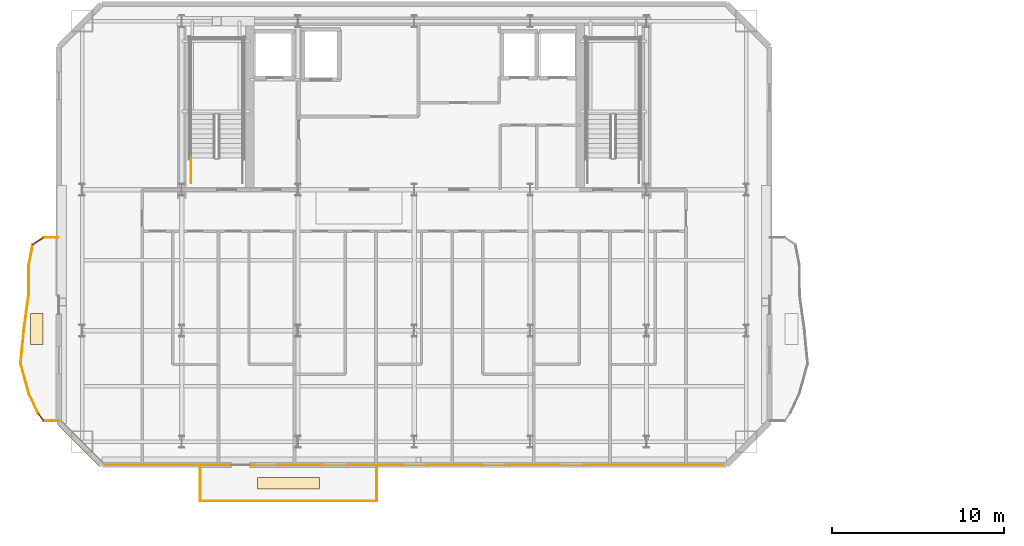
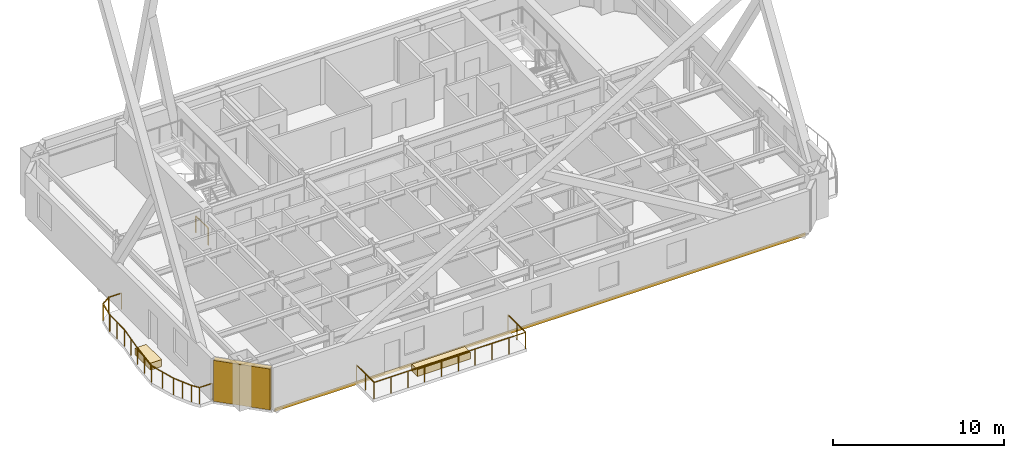
# One storey, part 16 of 20: 14 railings, 3 coverings, 1 shading device.
"""IFC4 building model written with IfcOpenShell, lengths in metres."""

from ifc_helpers import new_model, si_unit, direction, frame, origin, origin_2d, place, context, subcontext, project, spatial, rectangle, extrude, material, layer, layer_set, type_object, element, save


model = new_model("IFC4")

# Units and contexts
model_context = context("Model", 3, precision=1e-05, world=origin(), true_north=direction((0.0, 1.0)))
body_context = subcontext(model_context, "Body", "Model", "MODEL_VIEW")
ifc_project = project(units=[si_unit("LENGTHUNIT", "METRE"), si_unit("AREAUNIT", "SQUARE_METRE"), si_unit("VOLUMEUNIT", "CUBIC_METRE"), si_unit("PLANEANGLEUNIT", "RADIAN"), si_unit("MASSUNIT", "GRAM", prefix="KILO")], contexts=[model_context])

# Site, building, storey
site_placement = place(None, origin())
site = spatial("IfcSite", under=ifc_project, at=site_placement, CompositionType="ELEMENT")
building_placement = place(site_placement, origin())
building = spatial("IfcBuilding", under=site, at=building_placement, Name="Haevon Station Towers", CompositionType="ELEMENT")
storey_placement = place(building_placement, frame((0.0, 0.0, 175.800048828125)))
storey = spatial("IfcBuildingStorey", under=building, at=storey_placement, Name="L48", CompositionType="ELEMENT", Elevation=175.800048828125)

# Covering
ifc_material_1 = material(Name="Anodised aluminium 6063-T6", Category="aluminium")
ifc_layer_1 = layer(ifc_material_1, 0.0400390625)
ifc_layer_set_1 = layer_set([ifc_layer_1], Name="Anodised aluminium 6063-T6")
covering_type_1 = type_object("IfcCoveringType", Name="COV-CLAD40", PredefinedType="CLADDING", material=ifc_layer_set_1)
covering_1_placement = place(storey_placement, frame((37.5, 22.199951171875, -0.240234375), z_axis=(0.0, 0.0, 1.0), x_axis=(1.0, 0.0, 0.0)))
element("IfcCovering", 1, at=covering_1_placement, inside=storey, type_object=covering_type_1, Name="Tower 1 L48 Spandrel Fascia Cladding", PredefinedType="CLADDING", context=body_context, shape_type="SweptSolid", body=[
    extrude(rectangle(XDim=35.89990234375, YDim=0.0400390625, at=origin_2d()), origin(), (0.0, 0.0, 1.0), 0.239990234375),
])

# Railings
ifc_material_2 = material(Name="Steel S355", Category="steel")
railing_type_1 = type_object("IfcRailingType", Name="GRD-EXT1200", PredefinedType="GUARDRAIL", material=ifc_material_2)
railing_1_placement = place(storey_placement, frame((16.82666015625, 35.422119140625, 0.0)))
element("IfcRailing", 2, at=railing_1_placement, inside=storey, type_object=railing_type_1, Name="L48 Perimeter Guardrail 1", PredefinedType="GUARDRAIL", context=body_context, shape_type="SweptSolid", body=[
    extrude(rectangle(XDim=0.048095703125, YDim=0.048095703125, at=origin_2d()), frame((0.0, 0.0, 1.17578125), z_axis=(-0.99999747791, -0.002245923589, 0.0), x_axis=(0.002245923589, -0.99999747791, 0.0)), (0.0, 0.0, 1.0), 0.86962890625),
    extrude(rectangle(XDim=0.0419921875, YDim=0.0419921875, at=origin_2d()), origin(), (0.0, 0.0, 1.0), 1.15185546875),
    extrude(rectangle(XDim=0.0419921875, YDim=0.0419921875, at=origin_2d()), frame((-0.86962890625, -0.001953125, 0.0)), (0.0, 0.0, 1.0), 1.15185546875),
])
railing_2_placement = place(storey_placement, frame((15.95703125, 35.420166015625, 0.0)))
element("IfcRailing", 3, at=railing_2_placement, inside=storey, type_object=railing_type_1, Name="L48 Perimeter Guardrail 2", PredefinedType="GUARDRAIL", context=body_context, shape_type="SweptSolid", body=[
    extrude(rectangle(XDim=0.048095703125, YDim=0.048095703125, at=origin_2d()), frame((0.0, 0.0, 1.17578125), z_axis=(-0.833160144028, -0.553031802343, 0.0), x_axis=(0.553031802343, -0.833160144028, 0.0)), (0.0, 0.0, 1.0), 0.743408203125),
    extrude(rectangle(XDim=0.0419921875, YDim=0.0419921875, at=origin_2d()), origin(), (0.0, 0.0, 1.0), 1.15185546875),
    extrude(rectangle(XDim=0.0419921875, YDim=0.0419921875, at=origin_2d()), frame((-0.619384765625, -0.4111328125, 0.0)), (0.0, 0.0, 1.0), 1.15185546875),
])
railing_3_placement = place(storey_placement, frame((15.337646484375, 35.009033203125, 0.0)))
element("IfcRailing", 4, at=railing_3_placement, inside=storey, type_object=railing_type_1, Name="L48 Perimeter Guardrail 3", PredefinedType="GUARDRAIL", context=body_context, shape_type="SweptSolid", body=[
    extrude(rectangle(XDim=0.048095703125, YDim=0.048095703125, at=origin_2d()), frame((0.0, 0.0, 1.17578125), z_axis=(-0.18988815167, -0.981805729182, 0.0), x_axis=(0.981805729182, -0.18988815167, 0.0)), (0.0, 0.0, 1.0), 1.19189453125),
    extrude(rectangle(XDim=0.0419921875, YDim=0.0419921875, at=origin_2d()), origin(), (0.0, 0.0, 1.0), 1.15185546875),
    extrude(rectangle(XDim=0.0419921875, YDim=0.0419921875, at=origin_2d()), frame((-0.226318359375, -1.170166015625, 0.0)), (0.0, 0.0, 1.0), 1.15185546875),
])
railing_4_placement = place(storey_placement, frame((15.111328125, 33.8388671875, 0.0)))
element("IfcRailing", 5, at=railing_4_placement, inside=storey, type_object=railing_type_1, Name="L48 Perimeter Guardrail 4", PredefinedType="GUARDRAIL", context=body_context, shape_type="SweptSolid", body=[
    extrude(rectangle(XDim=0.048095703125, YDim=0.048095703125, at=origin_2d()), frame((0.0, 0.0, 1.17578125), z_axis=(-0.00725326156, -0.999973694752, 0.0), x_axis=(0.999973694752, -0.00725326156, 0.0)), (0.0, 0.0, 1.0), 1.750244140625),
    extrude(rectangle(XDim=0.0419921875, YDim=0.0419921875, at=origin_2d()), origin(), (0.0, 0.0, 1.0), 1.15185546875),
    extrude(rectangle(XDim=0.0419921875, YDim=0.0419921875, at=origin_2d()), frame((-0.00634765625, -0.875, 0.0)), (0.0, 0.0, 1.0), 1.15185546875),
    extrude(rectangle(XDim=0.0419921875, YDim=0.0419921875, at=origin_2d()), frame((-0.0126953125, -1.750244140625, 0.0)), (0.0, 0.0, 1.0), 1.15185546875),
])
railing_5_placement = place(storey_placement, frame((15.0986328125, 32.088623046875, 0.0)))
element("IfcRailing", 6, at=railing_5_placement, inside=storey, type_object=railing_type_1, Name="L48 Perimeter Guardrail 5", PredefinedType="GUARDRAIL", context=body_context, shape_type="SweptSolid", body=[
    extrude(rectangle(XDim=0.048095703125, YDim=0.048095703125, at=origin_2d()), frame((0.0, 0.0, 1.17578125), z_axis=(-0.136345171369, -0.990661392326, 0.0), x_axis=(0.990661392326, -0.136345171369, 0.0)), (0.0, 0.0, 1.0), 2.00732421875),
    extrude(rectangle(XDim=0.0419921875, YDim=0.0419921875, at=origin_2d()), origin(), (0.0, 0.0, 1.0), 1.15185546875),
    extrude(rectangle(XDim=0.0419921875, YDim=0.0419921875, at=origin_2d()), frame((-0.13671875, -0.994140625, 0.0)), (0.0, 0.0, 1.0), 1.15185546875),
    extrude(rectangle(XDim=0.0419921875, YDim=0.0419921875, at=origin_2d()), frame((-0.273681640625, -1.988525390625, 0.0)), (0.0, 0.0, 1.0), 1.15185546875),
])
railing_6_placement = place(storey_placement, frame((14.824951171875, 30.10009765625, 0.0)))
element("IfcRailing", 7, at=railing_6_placement, inside=storey, type_object=railing_type_1, Name="L48 Perimeter Guardrail 6", PredefinedType="GUARDRAIL", context=body_context, shape_type="SweptSolid", body=[
    extrude(rectangle(XDim=0.048095703125, YDim=0.048095703125, at=origin_2d()), frame((0.0, 0.0, 1.17578125), z_axis=(-0.097718135752, -0.9952141307, 0.0), x_axis=(0.9952141307, -0.097718135752, 0.0)), (0.0, 0.0, 1.0), 2.003662109375),
    extrude(rectangle(XDim=0.0419921875, YDim=0.0419921875, at=origin_2d()), origin(), (0.0, 0.0, 1.0), 1.15185546875),
    extrude(rectangle(XDim=0.0419921875, YDim=0.0419921875, at=origin_2d()), frame((-0.097900390625, -0.9970703125, 0.0)), (0.0, 0.0, 1.0), 1.15185546875),
    extrude(rectangle(XDim=0.0419921875, YDim=0.0419921875, at=origin_2d()), frame((-0.19580078125, -1.994140625, 0.0)), (0.0, 0.0, 1.0), 1.15185546875),
])
railing_7_placement = place(storey_placement, frame((14.629150390625, 28.10595703125, 0.0)))
element("IfcRailing", 8, at=railing_7_placement, inside=storey, type_object=railing_type_1, Name="L48 Perimeter Guardrail 7", PredefinedType="GUARDRAIL", context=body_context, shape_type="SweptSolid", body=[
    extrude(rectangle(XDim=0.048095703125, YDim=0.048095703125, at=origin_2d()), frame((0.0, 0.0, 1.17578125), z_axis=(0.266356811872, -0.963874498454, 0.0), x_axis=(0.963874498454, 0.266356811872, 0.0)), (0.0, 0.0, 1.0), 1.810302734375),
    extrude(rectangle(XDim=0.0419921875, YDim=0.0419921875, at=origin_2d()), origin(), (0.0, 0.0, 1.0), 1.15185546875),
    extrude(rectangle(XDim=0.0419921875, YDim=0.0419921875, at=origin_2d()), frame((0.2412109375, -0.87255859375, 0.0)), (0.0, 0.0, 1.0), 1.15185546875),
    extrude(rectangle(XDim=0.0419921875, YDim=0.0419921875, at=origin_2d()), frame((0.482177734375, -1.744873046875, 0.0)), (0.0, 0.0, 1.0), 1.15185546875),
])
railing_8_placement = place(storey_placement, frame((15.111328125, 26.361083984375, 0.0)))
element("IfcRailing", 9, at=railing_8_placement, inside=storey, type_object=railing_type_1, Name="L48 Perimeter Guardrail 8", PredefinedType="GUARDRAIL", context=body_context, shape_type="SweptSolid", body=[
    extrude(rectangle(XDim=0.048095703125, YDim=0.048095703125, at=origin_2d()), frame((0.0, 0.0, 1.17578125), z_axis=(0.42339242702, -0.905946385137, 0.0), x_axis=(0.905946385137, 0.42339242702, 0.0)), (0.0, 0.0, 1.0), 1.291748046875),
    extrude(rectangle(XDim=0.0419921875, YDim=0.0419921875, at=origin_2d()), origin(), (0.0, 0.0, 1.0), 1.15185546875),
    extrude(rectangle(XDim=0.0419921875, YDim=0.0419921875, at=origin_2d()), frame((0.2734375, -0.5849609375, 0.0)), (0.0, 0.0, 1.0), 1.15185546875),
    extrude(rectangle(XDim=0.0419921875, YDim=0.0419921875, at=origin_2d()), frame((0.546875, -1.170166015625, 0.0)), (0.0, 0.0, 1.0), 1.15185546875),
])
railing_9_placement = place(storey_placement, frame((15.658203125, 25.19091796875, 0.0)))
element("IfcRailing", 10, at=railing_9_placement, inside=storey, type_object=railing_type_1, Name="L48 Perimeter Guardrail 9", PredefinedType="GUARDRAIL", context=body_context, shape_type="SweptSolid", body=[
    extrude(rectangle(XDim=0.048095703125, YDim=0.048095703125, at=origin_2d()), frame((0.0, 0.0, 1.17578125), z_axis=(0.587943185417, -0.808902225688, 0.0), x_axis=(0.808902225688, 0.587943185417, 0.0)), (0.0, 0.0, 1.0), 0.50830078125),
    extrude(rectangle(XDim=0.0419921875, YDim=0.0419921875, at=origin_2d()), origin(), (0.0, 0.0, 1.0), 1.15185546875),
    extrude(rectangle(XDim=0.0419921875, YDim=0.0419921875, at=origin_2d()), frame((0.298828125, -0.4111328125, 0.0)), (0.0, 0.0, 1.0), 1.15185546875),
])
railing_10_placement = place(storey_placement, frame((15.95703125, 24.77978515625, 0.0)))
element("IfcRailing", 11, at=railing_10_placement, inside=storey, type_object=railing_type_1, Name="L48 Perimeter Guardrail 10", PredefinedType="GUARDRAIL", context=body_context, shape_type="SweptSolid", body=[
    extrude(rectangle(XDim=0.048095703125, YDim=0.048095703125, at=origin_2d()), frame((0.0, 0.0, 1.17578125), z_axis=(0.99999747791, -0.002245923589, 0.0), x_axis=(0.002245923589, 0.99999747791, 0.0)), (0.0, 0.0, 1.0), 0.86962890625),
    extrude(rectangle(XDim=0.0419921875, YDim=0.0419921875, at=origin_2d()), origin(), (0.0, 0.0, 1.0), 1.15185546875),
    extrude(rectangle(XDim=0.0419921875, YDim=0.0419921875, at=origin_2d()), frame((0.86962890625, -0.001953125, 0.0)), (0.0, 0.0, 1.0), 1.15185546875),
])
railing_11_placement = place(storey_placement, frame((25.078369140625, 20.11572265625, 0.0)))
element("IfcRailing", 12, at=railing_11_placement, inside=storey, type_object=railing_type_1, Name="L48 Perimeter Guardrail 1", PredefinedType="GUARDRAIL", context=body_context, shape_type="SweptSolid", body=[
    extrude(rectangle(XDim=0.048095703125, YDim=0.048095703125, at=origin_2d()), frame((0.0, 0.0, 1.17578125), z_axis=(1.0, 0.0, 0.0), x_axis=(0.0, 1.0, 0.0)), (0.0, 0.0, 1.0), 10.2431640625),
    extrude(rectangle(XDim=0.0419921875, YDim=0.0419921875, at=origin_2d()), origin(), (0.0, 0.0, 1.0), 1.15185546875),
    extrude(rectangle(XDim=0.0419921875, YDim=0.0419921875, at=origin_2d()), frame((1.13818359375, 0.0, 0.0)), (0.0, 0.0, 1.0), 1.15185546875),
    extrude(rectangle(XDim=0.0419921875, YDim=0.0419921875, at=origin_2d()), frame((2.2763671875, 0.0, 0.0)), (0.0, 0.0, 1.0), 1.15185546875),
    extrude(rectangle(XDim=0.0419921875, YDim=0.0419921875, at=origin_2d()), frame((3.414306640625, 0.0, 0.0)), (0.0, 0.0, 1.0), 1.15185546875),
    extrude(rectangle(XDim=0.0419921875, YDim=0.0419921875, at=origin_2d()), frame((4.552490234375, 0.0, 0.0)), (0.0, 0.0, 1.0), 1.15185546875),
    extrude(rectangle(XDim=0.0419921875, YDim=0.0419921875, at=origin_2d()), frame((5.690673828125, 0.0, 0.0)), (0.0, 0.0, 1.0), 1.15185546875),
    extrude(rectangle(XDim=0.0419921875, YDim=0.0419921875, at=origin_2d()), frame((6.828857421875, 0.0, 0.0)), (0.0, 0.0, 1.0), 1.15185546875),
    extrude(rectangle(XDim=0.0419921875, YDim=0.0419921875, at=origin_2d()), frame((7.966796875, 0.0, 0.0)), (0.0, 0.0, 1.0), 1.15185546875),
    extrude(rectangle(XDim=0.0419921875, YDim=0.0419921875, at=origin_2d()), frame((9.10498046875, 0.0, 0.0)), (0.0, 0.0, 1.0), 1.15185546875),
    extrude(rectangle(XDim=0.0419921875, YDim=0.0419921875, at=origin_2d()), frame((10.2431640625, 0.0, 0.0)), (0.0, 0.0, 1.0), 1.15185546875),
])
railing_12_placement = place(storey_placement, frame((35.321533203125, 20.11572265625, 0.0)))
element("IfcRailing", 13, at=railing_12_placement, inside=storey, type_object=railing_type_1, Name="L48 Perimeter Guardrail 2", PredefinedType="GUARDRAIL", context=body_context, shape_type="SweptSolid", body=[
    extrude(rectangle(XDim=0.048095703125, YDim=0.048095703125, at=origin_2d()), frame((0.0, 0.0, 1.17578125), z_axis=(0.0, 1.0, 0.0), x_axis=(-1.0, 0.0, 0.0)), (0.0, 0.0, 1.0), 2.0634765625),
    extrude(rectangle(XDim=0.0419921875, YDim=0.0419921875, at=origin_2d()), origin(), (0.0, 0.0, 1.0), 1.15185546875),
    extrude(rectangle(XDim=0.0419921875, YDim=0.0419921875, at=origin_2d()), frame((0.0, 1.03173828125, 0.0)), (0.0, 0.0, 1.0), 1.15185546875),
    extrude(rectangle(XDim=0.0419921875, YDim=0.0419921875, at=origin_2d()), frame((0.0, 2.0634765625, 0.0)), (0.0, 0.0, 1.0), 1.15185546875),
])
railing_13_placement = place(storey_placement, frame((25.078369140625, 22.17919921875, 0.0)))
element("IfcRailing", 14, at=railing_13_placement, inside=storey, type_object=railing_type_1, Name="L48 Perimeter Guardrail 3", PredefinedType="GUARDRAIL", context=body_context, shape_type="SweptSolid", body=[
    extrude(rectangle(XDim=0.048095703125, YDim=0.048095703125, at=origin_2d()), frame((0.0, 0.0, 1.17578125), z_axis=(0.0, -1.0, 0.0), x_axis=(1.0, 0.0, 0.0)), (0.0, 0.0, 1.0), 2.0634765625),
    extrude(rectangle(XDim=0.0419921875, YDim=0.0419921875, at=origin_2d()), origin(), (0.0, 0.0, 1.0), 1.15185546875),
    extrude(rectangle(XDim=0.0419921875, YDim=0.0419921875, at=origin_2d()), frame((0.0, -1.03173828125, 0.0)), (0.0, 0.0, 1.0), 1.15185546875),
    extrude(rectangle(XDim=0.0419921875, YDim=0.0419921875, at=origin_2d()), frame((0.0, -2.0634765625, 0.0)), (0.0, 0.0, 1.0), 1.15185546875),
])
railing_type_2 = type_object("IfcRailingType", Name="GRD-STR1200", PredefinedType="GUARDRAIL", material=ifc_material_2)
railing_14_placement = place(storey_placement, frame((24.530029296875, 38.60009765625, 0.0)))
element("IfcRailing", 15, at=railing_14_placement, inside=storey, type_object=railing_type_2, Name="L48 ST1 Stair Guard 9", PredefinedType="GUARDRAIL", context=body_context, shape_type="SweptSolid", body=[
    extrude(rectangle(XDim=0.048095703125, YDim=0.048095703125, at=origin_2d()), frame((0.0, 0.0, 1.17578125), z_axis=(0.0, 1.0, 0.0), x_axis=(-1.0, 0.0, 0.0)), (0.0, 0.0, 1.0), 1.449951171875),
    extrude(rectangle(XDim=0.0419921875, YDim=0.0419921875, at=origin_2d()), origin(), (0.0, 0.0, 1.0), 1.15185546875),
    extrude(rectangle(XDim=0.0419921875, YDim=0.0419921875, at=origin_2d()), frame((0.0, 1.449951171875, 0.0)), (0.0, 0.0, 1.0), 1.15185546875),
])

# Coverings
ifc_material_3 = material(Name="Architectural planter GRC", Category="concrete")
ifc_layer_2 = layer(ifc_material_3, 0.550048828125)
ifc_layer_set_2 = layer_set([ifc_layer_2], Name="Architectural planter GRC")
covering_type_2 = type_object("IfcCoveringType", Name="PLN-GRC550", PredefinedType="MOLDING", material=ifc_layer_set_2)
covering_2_placement = place(storey_placement, frame((15.566650390625, 30.10009765625, 0.0), z_axis=(0.0, 0.0, 1.0), x_axis=(1.0, 0.0, 0.0)))
element("IfcCovering", 16, at=covering_2_placement, inside=storey, type_object=covering_type_2, Name="Tower 1 L48 Scalloped Balcony PLANTER", PredefinedType="MOLDING", context=body_context, shape_type="SweptSolid", body=[
    extrude(rectangle(XDim=0.75, YDim=1.800048828125, at=origin_2d()), origin(), (0.0, 0.0, 1.0), 0.5),
])
covering_3_placement = place(storey_placement, frame((30.199951171875, 21.1474609375, 0.0), z_axis=(0.0, 0.0, 1.0), x_axis=(1.0, 0.0, 0.0)))
element("IfcCovering", 17, at=covering_3_placement, inside=storey, type_object=covering_type_2, Name="Tower 1 L48 Facade Trough PLANTER", PredefinedType="MOLDING", context=body_context, shape_type="SweptSolid", body=[
    extrude(rectangle(XDim=3.60009765625, YDim=0.64990234375, at=origin_2d()), origin(), (0.0, 0.0, 1.0), 0.5),
])

# Shading device
ifc_layer_3 = layer(ifc_material_1, 0.139892578125)
ifc_layer_set_3 = layer_set([ifc_layer_3], Name="Anodised aluminium 6063-T6")
shading_device_type = type_object("IfcShadingDeviceType", Name="SHD-WIND-BAFFLE", PredefinedType="SHUTTER", material=ifc_layer_set_3)
shading_device_placement = place(storey_placement, frame((18.10009765625, 23.449951171875, 0.0498046875), z_axis=(0.0, 0.0, 1.0), x_axis=(-0.707106781187, 0.707106781187, 0.0)))
element("IfcShadingDevice", 18, at=shading_device_placement, inside=storey, type_object=shading_device_type, Name="Tower 1 L48 Wind-Corner Aerofoil Baffle SWC", PredefinedType="SHUTTER", context=body_context, shape_type="SweptSolid", body=[
    extrude(rectangle(XDim=3.435546875, YDim=0.340087890625, at=origin_2d()), origin(), (0.0, 0.0, 1.0), 2.929931640625),
])

save(model, "model.ifc")
